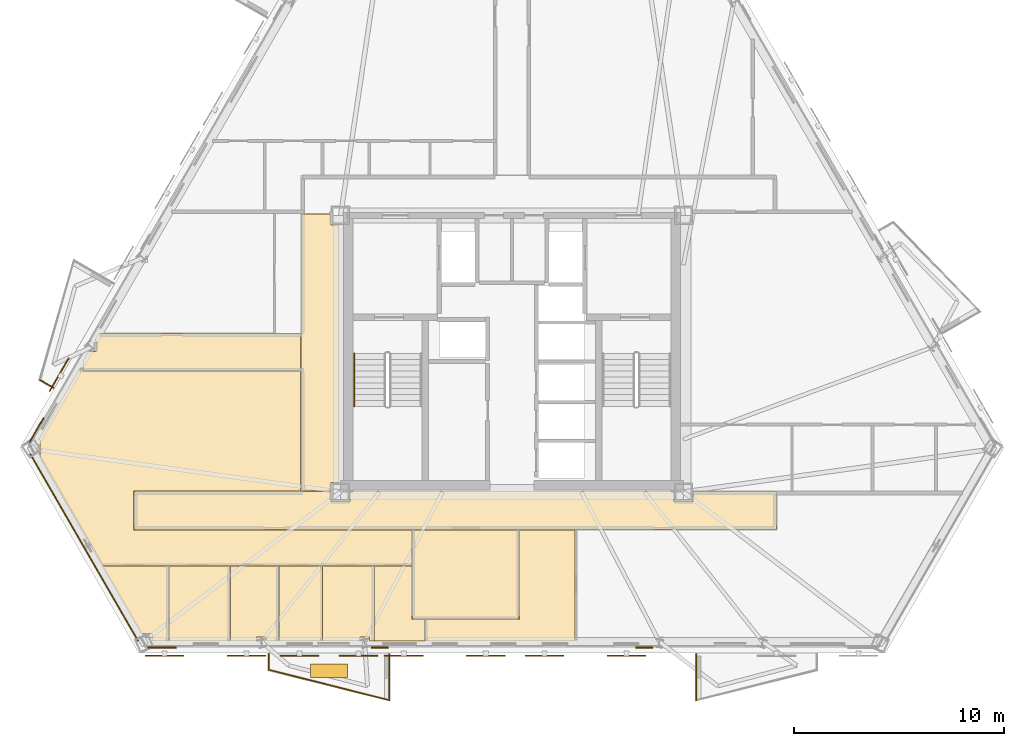
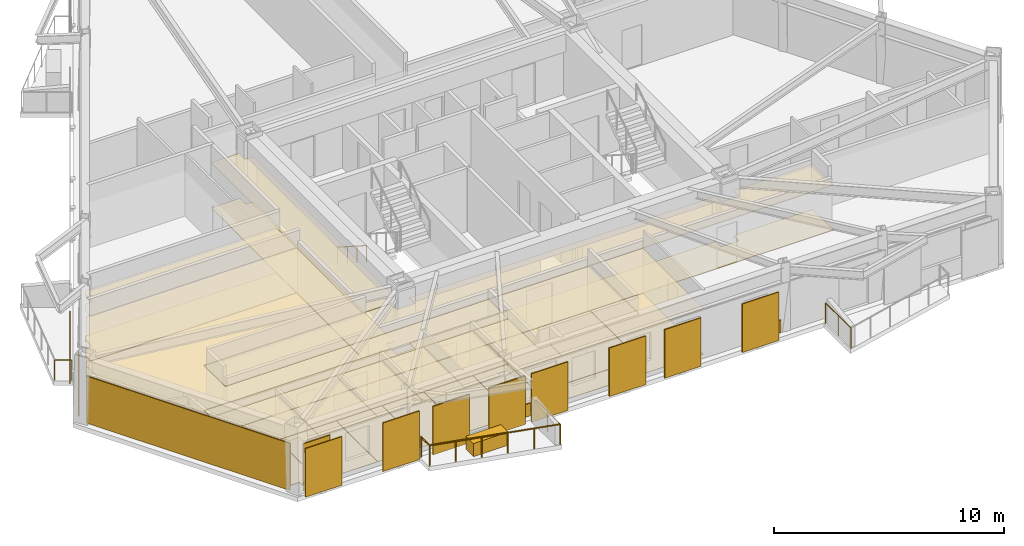
# One storey, part 7 of 9: 30 coverings, 9 shading devices, 6 railings.
"""IFC4 building model written with IfcOpenShell, lengths in metres."""

from ifc_helpers import new_model, si_unit, direction, frame, origin, origin_2d, place, context, subcontext, project, spatial, polyline, rectangle, circle, outline, extrude, material, layer, layer_set, type_object, element, save


model = new_model("IFC4")

# Units and contexts
model_context = context("Model", 3, precision=1e-05, world=origin(), true_north=direction((0.0, 1.0)))
body_context = subcontext(model_context, "Body", "Model", "MODEL_VIEW")
ifc_project = project(units=[si_unit("LENGTHUNIT", "METRE"), si_unit("AREAUNIT", "SQUARE_METRE"), si_unit("VOLUMEUNIT", "CUBIC_METRE"), si_unit("PLANEANGLEUNIT", "RADIAN"), si_unit("MASSUNIT", "GRAM", prefix="KILO")], contexts=[model_context])

# Site, building, storey
site_placement = place(None, origin())
site = spatial("IfcSite", under=ifc_project, at=site_placement, CompositionType="ELEMENT")
building_placement = place(site_placement, origin())
building = spatial("IfcBuilding", under=site, at=building_placement, Name="Oramaril Tower", CompositionType="ELEMENT")
storey_placement = place(building_placement, frame((0.0, 0.0, 123.0)))
storey = spatial("IfcBuildingStorey", under=building, at=storey_placement, Name="L32", CompositionType="ELEMENT", Elevation=123.0)

# Coverings
ifc_material_1 = material(Name="Mineral Fibre Acoustic Ceiling")
ifc_layer_1 = layer(ifc_material_1, 0.02001953125)
ifc_layer_set_1 = layer_set([ifc_layer_1], Name="CVT-CEIL")
covering_type_1 = type_object("IfcCoveringType", Name="CVT-CEIL", PredefinedType="CEILING", material=ifc_layer_set_1)
covering_1_placement = place(storey_placement, frame((0.0, 0.0, 2.39990234375)))
element("IfcCovering", 1, at=covering_1_placement, inside=storey, type_object=covering_type_1, Name="L32 Acoustic Suspended Ceiling 1", PredefinedType="CEILING", context=body_context, shape_type="SweptSolid", body=[
    extrude(outline(polyline([(28.905029296875, 10.554931640625), (29.794921875, 10.554931640625), (29.794921875, 11.030029296875), (45.205078125, 11.030029296875), (45.205078125, 10.554931640625), (46.094970703125, 10.554931640625), (46.094970703125, 11.030029296875), (50.080078125, 11.030029296875), (50.080078125, 9.219970703125), (19.52001953125, 9.219970703125), (19.52001953125, 11.030029296875), (28.905029296875, 11.030029296875), (28.905029296875, 10.554931640625)])), origin(), (0.0, 0.0, 1.0), 0.02001953125),
])
covering_2_placement = place(storey_placement, frame((0.0, 0.0, 2.39990234375)))
element("IfcCovering", 2, at=covering_2_placement, inside=storey, type_object=covering_type_1, Name="L32 Acoustic Suspended Ceiling 3", PredefinedType="CEILING", context=body_context, shape_type="SweptSolid", body=[
    extrude(outline(polyline([(28.905029296875, 23.705078125), (29.280029296875, 23.705078125), (29.280029296875, 11.445068359375), (28.905029296875, 11.445068359375), (28.905029296875, 11.050048828125), (27.469970703125, 11.050048828125), (27.469970703125, 24.219970703125), (28.905029296875, 24.219970703125), (28.905029296875, 23.705078125)])), origin(), (0.0, 0.0, 1.0), 0.02001953125),
])
covering_3_placement = place(storey_placement, frame((0.0, 0.0, 2.39990234375)))
element("IfcCovering", 3, at=covering_3_placement, inside=storey, type_object=covering_type_1, Name="L32 Acoustic Suspended Ceiling 5", PredefinedType="CEILING", context=body_context, shape_type="SweptSolid", body=[
    extrude(outline(polyline([(17.1201171875, 16.77001953125), (17.1201171875, 17.2685546875), (17.350341796875, 17.66748046875), (17.71630859375, 17.66748046875), (17.71630859375, 18.176513671875), (17.64404296875, 18.176513671875), (17.848388671875, 18.530029296875), (27.449951171875, 18.530029296875), (27.449951171875, 16.77001953125), (17.1201171875, 16.77001953125)])), origin(), (0.0, 0.0, 1.0), 0.02001953125),
])
covering_4_placement = place(storey_placement, frame((0.0, 0.0, 2.39990234375)))
element("IfcCovering", 4, at=covering_4_placement, inside=storey, type_object=covering_type_1, Name="L32 Acoustic Suspended Ceiling 6", PredefinedType="CEILING", context=body_context, shape_type="SweptSolid", body=[
    extrude(outline(polyline([(32.758056640625, 4.9580078125), (32.758056640625, 9.199951171875), (37.842041015625, 9.199951171875), (37.842041015625, 4.9580078125), (32.758056640625, 4.9580078125)])), origin(), (0.0, 0.0, 1.0), 0.02001953125),
])
covering_5_placement = place(storey_placement, frame((0.0, 0.0, 2.39990234375)))
element("IfcCovering", 5, at=covering_5_placement, inside=storey, type_object=covering_type_1, Name="L32 Acoustic Suspended Ceiling 8", PredefinedType="CEILING", context=body_context, shape_type="SweptSolid", body=[
    extrude(outline(polyline([(33.35791015625, 3.904052734375), (33.35791015625, 4.93798828125), (37.842041015625, 4.93798828125), (37.843994140625, 4.93798828125), (37.845947265625, 4.9384765625), (37.847900390625, 4.93896484375), (37.849609375, 4.939453125), (37.851318359375, 4.9404296875), (37.85302734375, 4.94140625), (37.854736328125, 4.9423828125), (37.856201171875, 4.94384765625), (37.857421875, 4.9453125), (37.858642578125, 4.947021484375), (37.859619140625, 4.948486328125), (37.860595703125, 4.9501953125), (37.861083984375, 4.9521484375), (37.861572265625, 4.9541015625), (37.86181640625, 4.9560546875), (37.862060546875, 4.9580078125), (37.862060546875, 9.199951171875), (40.490478515625, 9.199951171875), (40.490478515625, 3.904052734375), (33.35791015625, 3.904052734375)])), origin(), (0.0, 0.0, 1.0), 0.02001953125),
])
covering_6_placement = place(storey_placement, frame((0.0, 0.0, 2.39990234375)))
element("IfcCovering", 6, at=covering_6_placement, inside=storey, type_object=covering_type_1, Name="L32 Acoustic Suspended Ceiling 9", PredefinedType="CEILING", context=body_context, shape_type="SweptSolid", body=[
    extrude(outline(polyline([(17.10009765625, 16.842041015625), (17.10009765625, 16.77001953125), (17.10009765625, 16.76806640625), (17.100341796875, 16.76611328125), (17.100830078125, 16.76416015625), (17.1015625, 16.76220703125), (17.102294921875, 16.760498046875), (17.103515625, 16.7587890625), (17.1044921875, 16.75732421875), (17.10595703125, 16.755859375), (17.107421875, 16.75439453125), (17.10888671875, 16.75341796875), (17.110595703125, 16.75244140625), (17.1123046875, 16.75146484375), (17.1142578125, 16.7509765625), (17.1162109375, 16.75048828125), (17.117919921875, 16.75), (17.1201171875, 16.75), (27.449951171875, 16.75), (27.449951171875, 11.050048828125), (19.52001953125, 11.050048828125), (19.51806640625, 11.0498046875), (19.51611328125, 11.049560546875), (19.51416015625, 11.049072265625), (19.51220703125, 11.048583984375), (19.510498046875, 11.047607421875), (19.5087890625, 11.046630859375), (19.50732421875, 11.04541015625), (19.505859375, 11.044189453125), (19.50439453125, 11.042724609375), (19.50341796875, 11.041015625), (19.50244140625, 11.039306640625), (19.50146484375, 11.03759765625), (19.5009765625, 11.035888671875), (19.50048828125, 11.033935546875), (19.5, 11.031982421875), (19.5, 11.030029296875), (19.5, 9.219970703125), (19.5, 9.218017578125), (19.50048828125, 9.216064453125), (19.5009765625, 9.214111328125), (19.50146484375, 9.21240234375), (19.50244140625, 9.210693359375), (19.50341796875, 9.208984375), (19.50439453125, 9.207275390625), (19.505859375, 9.205810546875), (19.50732421875, 9.20458984375), (19.5087890625, 9.203369140625), (19.510498046875, 9.202392578125), (19.51220703125, 9.201416015625), (19.51416015625, 9.200927734375), (19.51611328125, 9.200439453125), (19.51806640625, 9.2001953125), (19.52001953125, 9.199951171875), (32.738037109375, 9.199951171875), (32.738037109375, 7.503173828125), (17.99658203125, 7.503173828125), (15.016845703125, 12.6640625), (15.059326171875, 12.6640625), (15.059326171875, 13.47705078125), (14.974853515625, 13.47705078125), (16.91748046875, 16.842041015625), (17.10009765625, 16.842041015625)])), origin(), (0.0, 0.0, 1.0), 0.02001953125),
])
covering_7_placement = place(storey_placement, frame((0.0, 0.0, 2.39990234375)))
element("IfcCovering", 7, at=covering_7_placement, inside=storey, type_object=covering_type_1, Name="L32 Acoustic Suspended Ceiling 10", PredefinedType="CEILING", context=body_context, shape_type="SweptSolid", body=[
    extrude(outline(polyline([(20.382080078125, 3.904052734375), (20.382080078125, 4.248291015625), (19.875732421875, 4.248291015625), (18.00830078125, 7.483154296875), (21.167236328125, 7.483154296875), (21.167236328125, 3.904052734375), (20.382080078125, 3.904052734375)])), origin(), (0.0, 0.0, 1.0), 0.02001953125),
])
covering_8_placement = place(storey_placement, frame((0.0, 0.0, 2.39990234375)))
element("IfcCovering", 8, at=covering_8_placement, inside=storey, type_object=covering_type_1, Name="L32 Acoustic Suspended Ceiling 11", PredefinedType="CEILING", context=body_context, shape_type="SweptSolid", body=[
    extrude(outline(polyline([(21.187255859375, 3.904052734375), (21.187255859375, 7.483154296875), (24.0927734375, 7.483154296875), (24.0927734375, 3.904052734375), (21.187255859375, 3.904052734375)])), origin(), (0.0, 0.0, 1.0), 0.02001953125),
])
covering_9_placement = place(storey_placement, frame((0.0, 0.0, 2.39990234375)))
element("IfcCovering", 9, at=covering_9_placement, inside=storey, type_object=covering_type_1, Name="L32 Acoustic Suspended Ceiling 12", PredefinedType="CEILING", context=body_context, shape_type="SweptSolid", body=[
    extrude(outline(polyline([(25.831298828125, 3.904052734375), (25.831298828125, 4.101318359375), (25.3603515625, 4.101318359375), (25.3603515625, 3.904052734375), (24.11279296875, 3.904052734375), (24.11279296875, 7.483154296875), (26.391357421875, 7.483154296875), (26.391357421875, 3.904052734375), (25.831298828125, 3.904052734375)])), origin(), (0.0, 0.0, 1.0), 0.02001953125),
])
covering_10_placement = place(storey_placement, frame((0.0, 0.0, 2.39990234375)))
element("IfcCovering", 10, at=covering_10_placement, inside=storey, type_object=covering_type_1, Name="L32 Acoustic Suspended Ceiling 13", PredefinedType="CEILING", context=body_context, shape_type="SweptSolid", body=[
    extrude(outline(polyline([(26.411376953125, 3.904052734375), (26.411376953125, 7.483154296875), (28.48095703125, 7.483154296875), (28.48095703125, 3.904052734375), (26.411376953125, 3.904052734375)])), origin(), (0.0, 0.0, 1.0), 0.02001953125),
])
covering_11_placement = place(storey_placement, frame((0.0, 0.0, 2.39990234375)))
element("IfcCovering", 11, at=covering_11_placement, inside=storey, type_object=covering_type_1, Name="L32 Acoustic Suspended Ceiling 14", PredefinedType="CEILING", context=body_context, shape_type="SweptSolid", body=[
    extrude(outline(polyline([(30.727783203125, 3.904052734375), (30.727783203125, 4.101318359375), (30.26708984375, 4.101318359375), (30.26708984375, 3.904052734375), (28.5009765625, 3.904052734375), (28.5009765625, 7.483154296875), (30.951904296875, 7.483154296875), (30.951904296875, 3.904052734375), (30.727783203125, 3.904052734375)])), origin(), (0.0, 0.0, 1.0), 0.02001953125),
])
covering_12_placement = place(storey_placement, frame((0.0, 0.0, 2.39990234375)))
element("IfcCovering", 12, at=covering_12_placement, inside=storey, type_object=covering_type_1, Name="L32 Acoustic Suspended Ceiling 15", PredefinedType="CEILING", context=body_context, shape_type="SweptSolid", body=[
    extrude(outline(polyline([(30.971923828125, 3.904052734375), (30.971923828125, 7.483154296875), (32.738037109375, 7.483154296875), (32.738037109375, 4.9580078125), (32.738037109375, 4.9560546875), (32.73828125, 4.9541015625), (32.739013671875, 4.9521484375), (32.739501953125, 4.9501953125), (32.740478515625, 4.948486328125), (32.741455078125, 4.947021484375), (32.742431640625, 4.9453125), (32.743896484375, 4.94384765625), (32.745361328125, 4.9423828125), (32.746826171875, 4.94140625), (32.74853515625, 4.9404296875), (32.750244140625, 4.939453125), (32.752197265625, 4.93896484375), (32.754150390625, 4.9384765625), (32.756103515625, 4.93798828125), (32.758056640625, 4.93798828125), (33.337890625, 4.93798828125), (33.337890625, 3.904052734375), (30.971923828125, 3.904052734375)])), origin(), (0.0, 0.0, 1.0), 0.02001953125),
])
ifc_material_2 = material(Name="Warm Cream Limestone", Category="masonry")
ifc_layer_2 = layer(ifc_material_2, 0.050048828125)
ifc_layer_set_2 = layer_set([ifc_layer_2], Name="CVT-CLD")
covering_type_2 = type_object("IfcCoveringType", Name="CVT-CLD", PredefinedType="CLADDING", material=ifc_layer_set_2)
covering_13_placement = place(storey_placement, frame((17.1572265625, 8.35498046875, 0.0400390625), z_axis=(0.0, 0.0, 1.0), x_axis=(0.500003022996, -0.86602365845, 0.0)))
element("IfcCovering", 13, at=covering_13_placement, inside=storey, type_object=covering_type_2, Name="L32 Warm Cream Limestone Cladding", PredefinedType="CLADDING", context=body_context, shape_type="SweptSolid", body=[
    extrude(rectangle(XDim=10.251220703125, YDim=0.050048828125, at=origin_2d()), origin(), (0.0, 0.0, 1.0), 2.498046875),
])
covering_14_placement = place(storey_placement, frame((20.8623046875, 3.60302734375, 0.0400390625), z_axis=(0.0, 0.0, 1.0), x_axis=(1.0, 0.0, 0.0)))
element("IfcCovering", 14, at=covering_14_placement, inside=storey, type_object=covering_type_2, Name="L32 Warm Cream Limestone Cladding", PredefinedType="CLADDING", context=body_context, shape_type="SweptSolid", body=[
    extrude(rectangle(XDim=1.35009765625, YDim=0.050048828125, at=origin_2d()), origin(), (0.0, 0.0, 1.0), 2.498046875),
])
for number, where, z_axis, x_axis, name in (
    (15, (31.204345703125, 3.60302734375, 0.0400390625), (0.0, 0.0, 1.0), (1.0, 0.0, 0.0), "L32 Warm Cream Limestone Spandrel Cladding"),
    (16, (43.795654296875, 3.60302734375, 0.0400390625), (0.0, 0.0, 1.0), (1.0, 0.0, 0.0), "L32 Warm Cream Limestone Spandrel Cladding"),
):
    element("IfcCovering", number, at=place(storey_placement, frame(where, z_axis=z_axis, x_axis=x_axis)), inside=storey, type_object=covering_type_2, Name=name, PredefinedType="CLADDING", context=body_context, shape_type="SweptSolid", body=[
        extrude(rectangle(XDim=0.800048828125, YDim=0.050048828125, at=origin_2d()), origin(), (0.0, 0.0, 1.0), 0.679931640625),
    ])
covering_15_placement = place(storey_placement, frame((14.894287109375, 13.939697265625, 0.0400390625), z_axis=(0.0, 0.0, 1.0), x_axis=(-0.4999984885, -0.866026276448, 0.0)))
element("IfcCovering", 17, at=covering_15_placement, inside=storey, type_object=covering_type_2, Name="L32 Warm Cream Limestone Cladding", PredefinedType="CLADDING", context=body_context, shape_type="SweptSolid", body=[
    extrude(rectangle(XDim=1.35009765625, YDim=0.050048828125, at=origin_2d()), origin(), (0.0, 0.0, 1.0), 2.498046875),
])
covering_16_placement = place(storey_placement, frame((28.796630859375, 2.49951171875, 0.0), z_axis=(0.0, 0.0, 1.0), x_axis=(1.0, 0.0, 0.0)))
element("IfcCovering", 18, at=covering_16_placement, inside=storey, type_object=covering_type_2, Name="L32 Structural Tree Planter Box L32-BAL-S1", PredefinedType="CLADDING", context=body_context, shape_type="SweptSolid", body=[
    extrude(rectangle(XDim=1.75, YDim=0.64990234375, at=origin_2d()), origin(), (0.0, 0.0, 1.0), 0.699951171875),
])
ifc_material_3 = material(Name="Honed Quartzite Stone Flooring", Category="masonry")
ifc_layer_3 = layer(ifc_material_3, 0.02490234375)
ifc_layer_set_3 = layer_set([ifc_layer_3], Name="CVT-FLR")
covering_type_3 = type_object("IfcCoveringType", Name="CVT-FLR", PredefinedType="FLOORING", material=ifc_layer_set_3)
covering_17_placement = place(storey_placement, origin())
element("IfcCovering", 19, at=covering_17_placement, inside=storey, type_object=covering_type_3, Name="L32 Honed Stone Floor Finish 1", PredefinedType="FLOORING", context=body_context, shape_type="SweptSolid", body=[
    extrude(outline(polyline([(28.905029296875, 10.554931640625), (29.794921875, 10.554931640625), (29.794921875, 11.030029296875), (45.205078125, 11.030029296875), (45.205078125, 10.554931640625), (46.094970703125, 10.554931640625), (46.094970703125, 11.030029296875), (50.080078125, 11.030029296875), (50.080078125, 9.219970703125), (19.52001953125, 9.219970703125), (19.52001953125, 11.030029296875), (28.905029296875, 11.030029296875), (28.905029296875, 10.554931640625)])), origin(), (0.0, 0.0, 1.0), 0.02490234375),
])
covering_18_placement = place(storey_placement, origin())
element("IfcCovering", 20, at=covering_18_placement, inside=storey, type_object=covering_type_3, Name="L32 Honed Stone Floor Finish 3", PredefinedType="FLOORING", context=body_context, shape_type="SweptSolid", body=[
    extrude(outline(polyline([(28.905029296875, 23.705078125), (29.280029296875, 23.705078125), (29.280029296875, 11.445068359375), (28.905029296875, 11.445068359375), (28.905029296875, 11.050048828125), (27.469970703125, 11.050048828125), (27.469970703125, 24.219970703125), (28.905029296875, 24.219970703125), (28.905029296875, 23.705078125)])), origin(), (0.0, 0.0, 1.0), 0.02490234375),
])
covering_19_placement = place(storey_placement, origin())
element("IfcCovering", 21, at=covering_19_placement, inside=storey, type_object=covering_type_3, Name="L32 Honed Stone Floor Finish 5", PredefinedType="FLOORING", context=body_context, shape_type="SweptSolid", body=[
    extrude(outline(polyline([(17.1201171875, 16.77001953125), (17.1201171875, 17.2685546875), (17.350341796875, 17.66748046875), (17.71630859375, 17.66748046875), (17.71630859375, 18.176513671875), (17.64404296875, 18.176513671875), (17.848388671875, 18.530029296875), (27.449951171875, 18.530029296875), (27.449951171875, 16.77001953125), (17.1201171875, 16.77001953125)])), origin(), (0.0, 0.0, 1.0), 0.02490234375),
])
covering_20_placement = place(storey_placement, origin())
element("IfcCovering", 22, at=covering_20_placement, inside=storey, type_object=covering_type_3, Name="L32 Honed Stone Floor Finish 6", PredefinedType="FLOORING", context=body_context, shape_type="SweptSolid", body=[
    extrude(outline(polyline([(32.758056640625, 4.9580078125), (32.758056640625, 9.199951171875), (37.842041015625, 9.199951171875), (37.842041015625, 4.9580078125), (32.758056640625, 4.9580078125)])), origin(), (0.0, 0.0, 1.0), 0.02490234375),
])
covering_21_placement = place(storey_placement, origin())
element("IfcCovering", 23, at=covering_21_placement, inside=storey, type_object=covering_type_3, Name="L32 Honed Stone Floor Finish 8", PredefinedType="FLOORING", context=body_context, shape_type="SweptSolid", body=[
    extrude(outline(polyline([(33.35791015625, 3.904052734375), (33.35791015625, 4.93798828125), (37.842041015625, 4.93798828125), (37.843994140625, 4.93798828125), (37.845947265625, 4.9384765625), (37.847900390625, 4.93896484375), (37.849609375, 4.939453125), (37.851318359375, 4.9404296875), (37.85302734375, 4.94140625), (37.854736328125, 4.9423828125), (37.856201171875, 4.94384765625), (37.857421875, 4.9453125), (37.858642578125, 4.947021484375), (37.859619140625, 4.948486328125), (37.860595703125, 4.9501953125), (37.861083984375, 4.9521484375), (37.861572265625, 4.9541015625), (37.86181640625, 4.9560546875), (37.862060546875, 4.9580078125), (37.862060546875, 9.199951171875), (40.490478515625, 9.199951171875), (40.490478515625, 3.904052734375), (33.35791015625, 3.904052734375)])), origin(), (0.0, 0.0, 1.0), 0.02490234375),
])
covering_22_placement = place(storey_placement, origin())
element("IfcCovering", 24, at=covering_22_placement, inside=storey, type_object=covering_type_3, Name="L32 Honed Stone Floor Finish 9", PredefinedType="FLOORING", context=body_context, shape_type="SweptSolid", body=[
    extrude(outline(polyline([(17.10009765625, 16.842041015625), (17.10009765625, 16.77001953125), (17.10009765625, 16.76806640625), (17.100341796875, 16.76611328125), (17.100830078125, 16.76416015625), (17.1015625, 16.76220703125), (17.102294921875, 16.760498046875), (17.103515625, 16.7587890625), (17.1044921875, 16.75732421875), (17.10595703125, 16.755859375), (17.107421875, 16.75439453125), (17.10888671875, 16.75341796875), (17.110595703125, 16.75244140625), (17.1123046875, 16.75146484375), (17.1142578125, 16.7509765625), (17.1162109375, 16.75048828125), (17.117919921875, 16.75), (17.1201171875, 16.75), (27.449951171875, 16.75), (27.449951171875, 11.050048828125), (19.52001953125, 11.050048828125), (19.51806640625, 11.0498046875), (19.51611328125, 11.049560546875), (19.51416015625, 11.049072265625), (19.51220703125, 11.048583984375), (19.510498046875, 11.047607421875), (19.5087890625, 11.046630859375), (19.50732421875, 11.04541015625), (19.505859375, 11.044189453125), (19.50439453125, 11.042724609375), (19.50341796875, 11.041015625), (19.50244140625, 11.039306640625), (19.50146484375, 11.03759765625), (19.5009765625, 11.035888671875), (19.50048828125, 11.033935546875), (19.5, 11.031982421875), (19.5, 11.030029296875), (19.5, 9.219970703125), (19.5, 9.218017578125), (19.50048828125, 9.216064453125), (19.5009765625, 9.214111328125), (19.50146484375, 9.21240234375), (19.50244140625, 9.210693359375), (19.50341796875, 9.208984375), (19.50439453125, 9.207275390625), (19.505859375, 9.205810546875), (19.50732421875, 9.20458984375), (19.5087890625, 9.203369140625), (19.510498046875, 9.202392578125), (19.51220703125, 9.201416015625), (19.51416015625, 9.200927734375), (19.51611328125, 9.200439453125), (19.51806640625, 9.2001953125), (19.52001953125, 9.199951171875), (32.738037109375, 9.199951171875), (32.738037109375, 7.503173828125), (17.99658203125, 7.503173828125), (15.016845703125, 12.6640625), (15.059326171875, 12.6640625), (15.059326171875, 13.47705078125), (14.974853515625, 13.47705078125), (16.91748046875, 16.842041015625), (17.10009765625, 16.842041015625)])), origin(), (0.0, 0.0, 1.0), 0.02490234375),
])
covering_23_placement = place(storey_placement, origin())
element("IfcCovering", 25, at=covering_23_placement, inside=storey, type_object=covering_type_3, Name="L32 Honed Stone Floor Finish 10", PredefinedType="FLOORING", context=body_context, shape_type="SweptSolid", body=[
    extrude(outline(polyline([(20.382080078125, 3.904052734375), (20.382080078125, 4.248291015625), (19.875732421875, 4.248291015625), (18.00830078125, 7.483154296875), (21.167236328125, 7.483154296875), (21.167236328125, 3.904052734375), (20.382080078125, 3.904052734375)])), origin(), (0.0, 0.0, 1.0), 0.02490234375),
])
covering_24_placement = place(storey_placement, origin())
element("IfcCovering", 26, at=covering_24_placement, inside=storey, type_object=covering_type_3, Name="L32 Honed Stone Floor Finish 11", PredefinedType="FLOORING", context=body_context, shape_type="SweptSolid", body=[
    extrude(outline(polyline([(21.187255859375, 3.904052734375), (21.187255859375, 7.483154296875), (24.0927734375, 7.483154296875), (24.0927734375, 3.904052734375), (21.187255859375, 3.904052734375)])), origin(), (0.0, 0.0, 1.0), 0.02490234375),
])
covering_25_placement = place(storey_placement, origin())
element("IfcCovering", 27, at=covering_25_placement, inside=storey, type_object=covering_type_3, Name="L32 Honed Stone Floor Finish 12", PredefinedType="FLOORING", context=body_context, shape_type="SweptSolid", body=[
    extrude(outline(polyline([(25.831298828125, 3.904052734375), (25.831298828125, 4.101318359375), (25.3603515625, 4.101318359375), (25.3603515625, 3.904052734375), (24.11279296875, 3.904052734375), (24.11279296875, 7.483154296875), (26.391357421875, 7.483154296875), (26.391357421875, 3.904052734375), (25.831298828125, 3.904052734375)])), origin(), (0.0, 0.0, 1.0), 0.02490234375),
])
covering_26_placement = place(storey_placement, origin())
element("IfcCovering", 28, at=covering_26_placement, inside=storey, type_object=covering_type_3, Name="L32 Honed Stone Floor Finish 13", PredefinedType="FLOORING", context=body_context, shape_type="SweptSolid", body=[
    extrude(outline(polyline([(26.411376953125, 3.904052734375), (26.411376953125, 7.483154296875), (28.48095703125, 7.483154296875), (28.48095703125, 3.904052734375), (26.411376953125, 3.904052734375)])), origin(), (0.0, 0.0, 1.0), 0.02490234375),
])
covering_27_placement = place(storey_placement, origin())
element("IfcCovering", 29, at=covering_27_placement, inside=storey, type_object=covering_type_3, Name="L32 Honed Stone Floor Finish 14", PredefinedType="FLOORING", context=body_context, shape_type="SweptSolid", body=[
    extrude(outline(polyline([(30.727783203125, 3.904052734375), (30.727783203125, 4.101318359375), (30.26708984375, 4.101318359375), (30.26708984375, 3.904052734375), (28.5009765625, 3.904052734375), (28.5009765625, 7.483154296875), (30.951904296875, 7.483154296875), (30.951904296875, 3.904052734375), (30.727783203125, 3.904052734375)])), origin(), (0.0, 0.0, 1.0), 0.02490234375),
])
covering_28_placement = place(storey_placement, origin())
element("IfcCovering", 30, at=covering_28_placement, inside=storey, type_object=covering_type_3, Name="L32 Honed Stone Floor Finish 15", PredefinedType="FLOORING", context=body_context, shape_type="SweptSolid", body=[
    extrude(outline(polyline([(30.971923828125, 3.904052734375), (30.971923828125, 7.483154296875), (32.738037109375, 7.483154296875), (32.738037109375, 4.9580078125), (32.738037109375, 4.9560546875), (32.73828125, 4.9541015625), (32.739013671875, 4.9521484375), (32.739501953125, 4.9501953125), (32.740478515625, 4.948486328125), (32.741455078125, 4.947021484375), (32.742431640625, 4.9453125), (32.743896484375, 4.94384765625), (32.745361328125, 4.9423828125), (32.746826171875, 4.94140625), (32.74853515625, 4.9404296875), (32.750244140625, 4.939453125), (32.752197265625, 4.93896484375), (32.754150390625, 4.9384765625), (32.756103515625, 4.93798828125), (32.758056640625, 4.93798828125), (33.337890625, 4.93798828125), (33.337890625, 3.904052734375), (30.971923828125, 3.904052734375)])), origin(), (0.0, 0.0, 1.0), 0.02490234375),
])

# Railings
ifc_material_4 = material(Name="Stainless Steel 316L", Category="steel")
railing_type_1 = type_object("IfcRailingType", Name="RLT-GRD", PredefinedType="GUARDRAIL", material=ifc_material_4)
railing_1_placement = place(storey_placement, frame((31.66162109375, 3.2880859375, 0.0)))
element("IfcRailing", 31, at=railing_1_placement, inside=storey, type_object=railing_type_1, Name="L32 Balcony Guardrail L32-BAL-S1.1", PredefinedType="GUARDRAIL", context=body_context, shape_type="SweptSolid", body=[
    extrude(circle(Radius=0.02392578125, at=origin_2d()), frame((0.0, 0.0, 1.076171875), z_axis=(0.0, -1.0, 0.0), x_axis=(1.0, 0.0, 0.0)), (0.0, 0.0, 1.0), 2.19189453125),
    extrude(circle(Radius=0.02099609375, at=origin_2d()), origin(), (0.0, 0.0, 1.0), 1.052001953125),
    extrude(circle(Radius=0.02099609375, at=origin_2d()), frame((0.0, -1.095947265625, 0.0)), (0.0, 0.0, 1.0), 1.052001953125),
    extrude(circle(Radius=0.02099609375, at=origin_2d()), frame((0.0, -2.19189453125, 0.0)), (0.0, 0.0, 1.0), 1.052001953125),
])
railing_2_placement = place(storey_placement, frame((31.66162109375, 1.09619140625, 0.0)))
element("IfcRailing", 32, at=railing_2_placement, inside=storey, type_object=railing_type_1, Name="L32 Balcony Guardrail L32-BAL-S1.2", PredefinedType="GUARDRAIL", context=body_context, shape_type="SweptSolid", body=[
    extrude(circle(Radius=0.02392578125, at=origin_2d()), frame((0.0, 0.0, 1.076171875), z_axis=(-0.969443611257, 0.245314256807, 0.0), x_axis=(-0.245314256807, -0.969443611257, 0.0)), (0.0, 0.0, 1.0), 5.91064453125),
    extrude(circle(Radius=0.02099609375, at=origin_2d()), origin(), (0.0, 0.0, 1.0), 1.052001953125),
    extrude(circle(Radius=0.02099609375, at=origin_2d()), frame((-1.14599609375, 0.2900390625, 0.0)), (0.0, 0.0, 1.0), 1.052001953125),
    extrude(circle(Radius=0.02099609375, at=origin_2d()), frame((-2.2919921875, 0.580078125, 0.0)), (0.0, 0.0, 1.0), 1.052001953125),
    extrude(circle(Radius=0.02099609375, at=origin_2d()), frame((-3.43798828125, 0.869873046875, 0.0)), (0.0, 0.0, 1.0), 1.052001953125),
    extrude(circle(Radius=0.02099609375, at=origin_2d()), frame((-4.583984375, 1.159912109375, 0.0)), (0.0, 0.0, 1.0), 1.052001953125),
    extrude(circle(Radius=0.02099609375, at=origin_2d()), frame((-5.72998046875, 1.449951171875, 0.0)), (0.0, 0.0, 1.0), 1.052001953125),
])
railing_3_placement = place(storey_placement, frame((25.931640625, 2.546142578125, 0.0)))
element("IfcRailing", 33, at=railing_3_placement, inside=storey, type_object=railing_type_1, Name="L32 Balcony Guardrail L32-BAL-S1.3", PredefinedType="GUARDRAIL", context=body_context, shape_type="SweptSolid", body=[
    extrude(circle(Radius=0.02392578125, at=origin_2d()), frame((0.0, 0.0, 1.076171875), z_axis=(0.0, 1.0, 0.0), x_axis=(-1.0, 0.0, 0.0)), (0.0, 0.0, 1.0), 0.741943359375),
    extrude(circle(Radius=0.02099609375, at=origin_2d()), origin(), (0.0, 0.0, 1.0), 1.052001953125),
    extrude(circle(Radius=0.02099609375, at=origin_2d()), frame((0.0, 0.741943359375, 0.0)), (0.0, 0.0, 1.0), 1.052001953125),
])
railing_4_placement = place(storey_placement, frame((46.263427734375, 1.09619140625, 0.0)))
element("IfcRailing", 34, at=railing_4_placement, inside=storey, type_object=railing_type_1, Name="L32 Balcony Guardrail L32-BAL-S2.3", PredefinedType="GUARDRAIL", context=body_context, shape_type="SweptSolid", body=[
    extrude(circle(Radius=0.02392578125, at=origin_2d()), frame((0.0, 0.0, 1.076171875), z_axis=(0.0, 1.0, 0.0), x_axis=(-1.0, 0.0, 0.0)), (0.0, 0.0, 1.0), 2.19189453125),
    extrude(circle(Radius=0.02099609375, at=origin_2d()), origin(), (0.0, 0.0, 1.0), 1.052001953125),
    extrude(circle(Radius=0.02099609375, at=origin_2d()), frame((0.0, 1.095947265625, 0.0)), (0.0, 0.0, 1.0), 1.052001953125),
    extrude(circle(Radius=0.02099609375, at=origin_2d()), frame((0.0, 2.19189453125, 0.0)), (0.0, 0.0, 1.0), 1.052001953125),
])
railing_5_placement = place(storey_placement, frame((15.693603515625, 15.954345703125, 0.0)))
element("IfcRailing", 35, at=railing_5_placement, inside=storey, type_object=railing_type_1, Name="L32 Balcony Guardrail L32-BAL-NW2.1", PredefinedType="GUARDRAIL", context=body_context, shape_type="SweptSolid", body=[
    extrude(circle(Radius=0.02392578125, at=origin_2d()), frame((0.0, 0.0, 1.076171875), z_axis=(-0.866026623601, 0.49999788721, 0.0), x_axis=(-0.49999788721, -0.866026623601, 0.0)), (0.0, 0.0, 1.0), 0.74169921875),
    extrude(circle(Radius=0.02099609375, at=origin_2d()), origin(), (0.0, 0.0, 1.0), 1.052001953125),
    extrude(circle(Radius=0.02099609375, at=origin_2d()), frame((-0.642333984375, 0.370849609375, 0.0)), (0.0, 0.0, 1.0), 1.052001953125),
])
ifc_material_5 = material(Name="Stainless Steel 316L", Category="steel")
railing_type_2 = type_object("IfcRailingType", Name="RLT-HND", PredefinedType="HANDRAIL", material=ifc_material_5)
railing_6_placement = place(storey_placement, frame((30.0, 17.590087890625, 0.179931640625)))
element("IfcRailing", 36, at=railing_6_placement, inside=storey, type_object=railing_type_2, Name="L32 ST-1 stair handrail 1", PredefinedType="HANDRAIL", context=body_context, shape_type="SweptSolid", body=[
    extrude(circle(Radius=0.02392578125, at=origin_2d()), frame((0.0, 0.0, 0.8759765625), z_axis=(0.0, -0.841162588446, 0.540782303519), x_axis=(1.0, 0.0, 0.0)), (0.0, 0.0, 1.0), 2.995849609375),
    extrude(circle(Radius=0.02099609375, at=origin_2d()), origin(), (0.0, 0.0, 1.0), 0.851806640625),
    extrude(circle(Radius=0.02099609375, at=origin_2d()), frame((0.0, -0.840087890625, 0.5400390625)), (0.0, 0.0, 1.0), 0.851806640625),
    extrude(circle(Radius=0.02099609375, at=origin_2d()), frame((0.0, -1.679931640625, 1.080078125)), (0.0, 0.0, 1.0), 0.851806640625),
    extrude(circle(Radius=0.02099609375, at=origin_2d()), frame((0.0, -2.52001953125, 1.6201171875)), (0.0, 0.0, 1.0), 0.851806640625),
])

# Shading devices
for number, where, z_axis, x_axis, name in (
    (37, (32.35205078125, 3.216064453125, -0.02001953125), (0.0, 0.0, 1.0), (1.0, 0.0, 0.0), "L32 Perforated Ceramic Solar Screen"),
    (38, (36.251953125, 3.216064453125, -0.02001953125), (0.0, 0.0, 1.0), (1.0, 0.0, 0.0), "L32 Perforated Ceramic Solar Screen"),
    (39, (39.0400390625, 3.216064453125, -0.02001953125), (0.0, 0.0, 1.0), (1.0, 0.0, 0.0), "L32 Perforated Ceramic Solar Screen"),
    (40, (42.934814453125, 3.216064453125, -0.02001953125), (0.0, 0.0, 1.0), (1.0, 0.0, 0.0), "L32 Perforated Ceramic Solar Screen"),
    (41, (20.982666015625, 3.216064453125, -0.02001953125), (0.0, 0.0, 1.0), (1.0, 0.0, 0.0), "L32 Perforated Ceramic Solar Screen"),
    (42, (24.882568359375, 3.216064453125, -0.02001953125), (0.0, 0.0, 1.0), (1.0, 0.0, 0.0), "L32 Perforated Ceramic Solar Screen"),
    (43, (27.394287109375, 3.216064453125, -0.02001953125), (0.0, 0.0, 1.0), (1.0, 0.0, 0.0), "L32 Perforated Ceramic Solar Screen"),
    (44, (30.205078125, 3.216064453125, -0.02001953125), (0.0, 0.0, 1.0), (1.0, 0.0, 0.0), "L32 Perforated Ceramic Solar Screen"),
    (45, (15.96630859375, 16.5703125, -0.02001953125), (0.0, 0.0, 1.0), (-0.4999984885, -0.866026276448, 0.0), "L32 Perforated Ceramic Solar Screen"),
):
    element("IfcShadingDevice", number, at=place(storey_placement, frame(where, z_axis=z_axis, x_axis=x_axis)), inside=storey, Name=name, ObjectType="SCREEN", PredefinedType="USERDEFINED", context=body_context, shape_type="SweptSolid", body=[
        extrude(rectangle(XDim=1.8330078125, YDim=0.050048828125, at=origin_2d()), origin(), (0.0, 0.0, 1.0), 2.577880859375),
    ])

save(model, "model.ifc")
